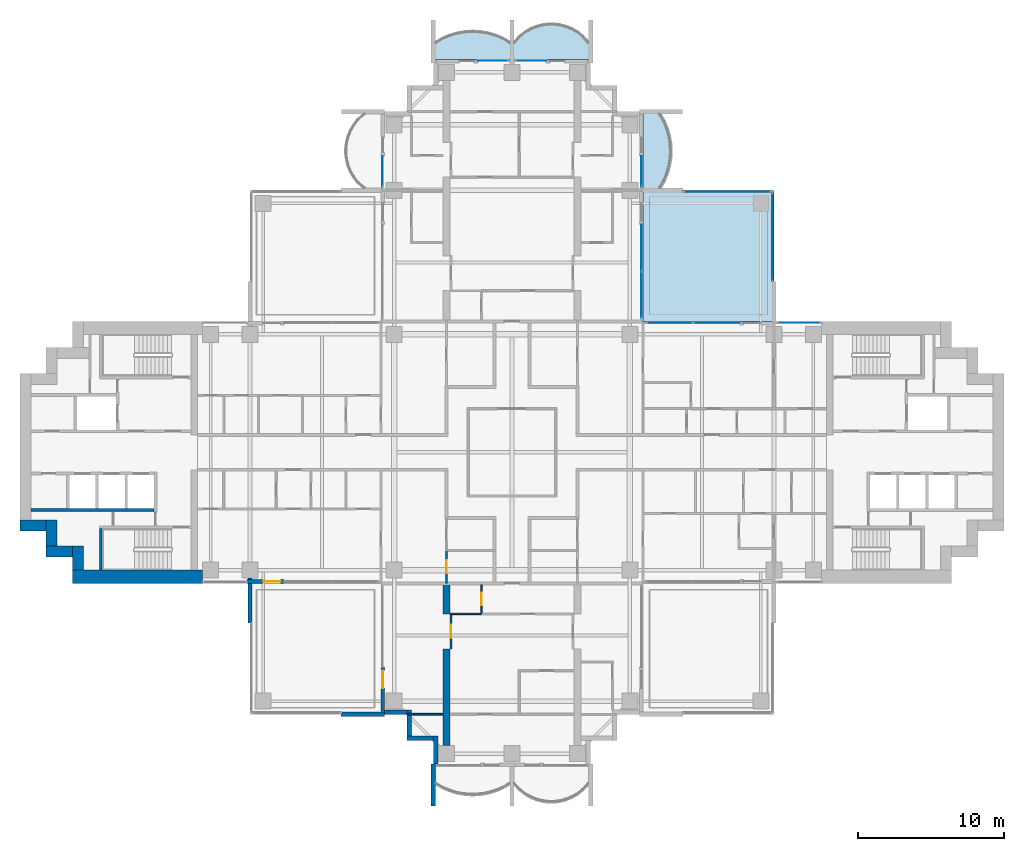
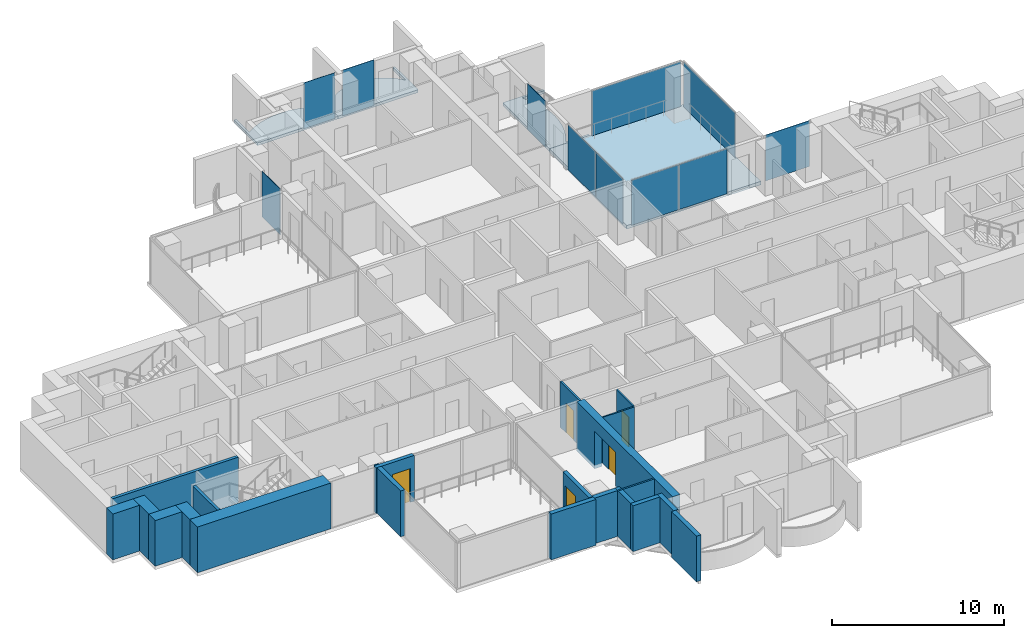
# One storey, part 8 of 19: 22 walls, 11 plates, 5 doors, 4 slabs, 5 openings, 9 elements without a shape of their own.
"""IFC4 building model written with IfcOpenShell, lengths in metres."""

from ifc_helpers import new_model, si_unit, direction, frame, frame_2d, origin, origin_2d, place, context, subcontext, project, spatial, polyline, rectangle, outline, extrude, material, layer, layer_set, material_profile, profile_set, type_object, element, fill, aggregate, save


model = new_model("IFC4")

# Units and contexts
model_context = context("Model", 3, precision=1e-05, world=origin(), true_north=direction((0.0, 1.0)))
body_context = subcontext(model_context, "Body", "Model", "MODEL_VIEW")
ifc_project = project(units=[si_unit("LENGTHUNIT", "METRE"), si_unit("AREAUNIT", "SQUARE_METRE"), si_unit("VOLUMEUNIT", "CUBIC_METRE"), si_unit("PLANEANGLEUNIT", "RADIAN"), si_unit("MASSUNIT", "GRAM", prefix="KILO")], contexts=[model_context])

# Site, building, storey
site_placement = place(None, origin())
site = spatial("IfcSite", under=ifc_project, at=site_placement, CompositionType="ELEMENT")
building_placement = place(site_placement, origin())
building = spatial("IfcBuilding", under=site, at=building_placement, Name="Perihelion Cross Residences", CompositionType="ELEMENT")
storey_placement = place(building_placement, frame((0.0, 0.0, 144.39990234375)))
storey = spatial("IfcBuildingStorey", under=building, at=storey_placement, Name="L35", CompositionType="ELEMENT", Elevation=144.39990234375)

# Slabs
ifc_material_1 = material(Name="Concrete C40/50", Category="concrete")
ifc_layer_1 = layer(ifc_material_1, 0.199951171875)
ifc_layer_set_1 = layer_set([ifc_layer_1], Name="Balcony slab 200")
slab_type_1 = type_object("IfcSlabType", Name="Balcony slab 200", PredefinedType="FLOOR", material=ifc_layer_set_1)
slab_1_placement = place(storey_placement, frame((0.0, 0.0, -0.199951171875)))
element("IfcSlab", 1, at=slab_1_placement, inside=storey, type_object=slab_type_1, Name="Slab BK1 L35 north side east bay 2 balcony", PredefinedType="FLOOR", context=body_context, shape_type="SweptSolid", body=[
    extrude(outline(polyline([(9.0, 18.0), (9.0, 23.39990234375), (11.699951171875, 23.39990234375), (11.699951171875, 23.25), (10.199951171875, 23.25), (10.4853515625, 22.739990234375), (10.694580078125, 22.22998046875), (10.838134765625, 21.719970703125), (10.92236328125, 21.2099609375), (10.949951171875, 20.699951171875), (10.92236328125, 20.18994140625), (10.838134765625, 19.679931640625), (10.694580078125, 19.169921875), (10.4853515625, 18.659912109375), (10.199951171875, 18.14990234375), (11.699951171875, 18.14990234375), (11.699951171875, 18.0), (9.0, 18.0)])), origin(), (0.0, 0.0, 1.0), 0.199951171875),
])
slab_2_placement = place(storey_placement, frame((0.0, 0.0, -0.199951171875)))
element("IfcSlab", 2, at=slab_2_placement, inside=storey, type_object=slab_type_1, Name="Slab BK1 L35 north tip north bay 1 balcony", PredefinedType="FLOOR", context=body_context, shape_type="SweptSolid", body=[
    extrude(outline(polyline([(5.39990234375, 27.0), (0.0, 27.0), (0.0, 29.699951171875), (0.14990234375, 29.699951171875), (0.14990234375, 28.199951171875), (0.542236328125, 28.622314453125), (0.9345703125, 28.924072265625), (1.326904296875, 29.143310546875), (1.71923828125, 29.29736328125), (2.111572265625, 29.39599609375), (2.50390625, 29.444091796875), (2.896240234375, 29.444091796875), (3.28857421875, 29.39599609375), (3.6806640625, 29.29736328125), (4.072998046875, 29.143310546875), (4.46533203125, 28.924072265625), (4.857666015625, 28.622314453125), (5.25, 28.199951171875), (5.25, 29.699951171875), (5.39990234375, 29.699951171875), (5.39990234375, 27.0)])), origin(), (0.0, 0.0, 1.0), 0.199951171875),
])
slab_3_placement = place(storey_placement, frame((0.0, 0.0, -0.199951171875)))
element("IfcSlab", 3, at=slab_3_placement, inside=storey, type_object=slab_type_1, Name="Slab BK1 L35 north tip north bay 2 balcony", PredefinedType="FLOOR", context=body_context, shape_type="SweptSolid", body=[
    extrude(outline(polyline([(0.0, 27.0), (-5.39990234375, 27.0), (-5.39990234375, 29.699951171875), (-5.25, 29.699951171875), (-5.25, 28.199951171875), (-4.739990234375, 28.4853515625), (-4.22998046875, 28.694580078125), (-3.719970703125, 28.838134765625), (-3.2099609375, 28.92236328125), (-2.699951171875, 28.949951171875), (-2.18994140625, 28.92236328125), (-1.679931640625, 28.838134765625), (-1.169921875, 28.694580078125), (-0.659912109375, 28.4853515625), (-0.14990234375, 28.199951171875), (-0.14990234375, 29.699951171875), (0.0, 29.699951171875), (0.0, 27.0)])), origin(), (0.0, 0.0, 1.0), 0.199951171875),
])

# Curtain wall, plate
ifc_material_2 = material(Name="Bronze anodised aluminium, tinted glazing", Category="aluminium")
curtain_wall_type_1 = type_object("IfcCurtainWallType", Name="CW1", PredefinedType="NOTDEFINED", material=ifc_material_2)
curtain_wall_1_placement = place(storey_placement, origin())
curtain_wall_1 = element("IfcCurtainWall", 4, at=curtain_wall_1_placement, inside=storey, type_object=curtain_wall_type_1, Name="Curtain wall CW1 L35 east side north bay 1", PredefinedType="NOTDEFINED")
ifc_material_3 = material(Name="Tinted laminated glass", Category="glass")
ifc_layer_2 = layer(ifc_material_3, 0.028076171875)
ifc_layer_set_2 = layer_set([ifc_layer_2], Name="CW1 panel")
plate_type_1 = type_object("IfcPlateType", Name="CW1 panel", PredefinedType="CURTAIN_PANEL", material=ifc_layer_set_2)
plate_1_placement = place(storey_placement, frame((19.72509765625, 8.89990234375, 0.0), z_axis=(0.0, 0.0, 1.0), x_axis=(-1.0, 0.0, 0.0)))
plate_1 = element("IfcPlate", 5, at=plate_1_placement, type_object=plate_type_1, Name="CW1 panel 1", PredefinedType="CURTAIN_PANEL", context=body_context, shape_type="SweptSolid", body=[
    extrude(rectangle(XDim=2.929931640625, YDim=0.028076171875, at=origin_2d()), origin(), (0.0, 0.0, 1.0), 3.25),
])
aggregate(curtain_wall_1, [plate_1])

# Curtain wall, plates
curtain_wall_2_placement = place(storey_placement, origin())
curtain_wall_2 = element("IfcCurtainWall", 6, at=curtain_wall_2_placement, inside=storey, type_object=curtain_wall_type_1, Name="Curtain wall CW1 L35 east side north bay 2", PredefinedType="NOTDEFINED")
plate_2_placement = place(storey_placement, frame((14.052490234375, 8.89990234375, 0.000244140625), z_axis=(0.0, 0.0, 1.0), x_axis=(-1.0, 0.0, 0.0)))
plate_2 = element("IfcPlate", 7, at=plate_2_placement, type_object=plate_type_1, Name="CW1 panel 1", PredefinedType="CURTAIN_PANEL", context=body_context, shape_type="SweptSolid", body=[
    extrude(rectangle(XDim=3.195068359375, YDim=0.028076171875, at=origin_2d()), origin(), (0.0, 0.0, 1.0), 3.18994140625),
])
plate_3_placement = place(storey_placement, frame((10.827392578125, 8.89990234375, 0.000244140625), z_axis=(0.0, 0.0, 1.0), x_axis=(-1.0, 0.0, 0.0)))
plate_3 = element("IfcPlate", 8, at=plate_3_placement, type_object=plate_type_1, Name="CW1 panel 2", PredefinedType="CURTAIN_PANEL", context=body_context, shape_type="SweptSolid", body=[
    extrude(rectangle(XDim=3.135009765625, YDim=0.028076171875, at=origin_2d()), origin(), (0.0, 0.0, 1.0), 3.18994140625),
])
aggregate(curtain_wall_2, [plate_2, plate_3])

curtain_wall_3_placement = place(storey_placement, origin())
curtain_wall_3 = element("IfcCurtainWall", 9, at=curtain_wall_3_placement, inside=storey, type_object=curtain_wall_type_1, Name="Curtain wall CW1 L35 north side east bay 1", PredefinedType="NOTDEFINED")
plate_4_placement = place(storey_placement, frame((8.89990234375, 10.827392578125, 0.000244140625), z_axis=(0.0, 0.0, 1.0), x_axis=(0.0, 1.0, 0.0)))
plate_4 = element("IfcPlate", 10, at=plate_4_placement, type_object=plate_type_1, Name="CW1 panel 1", PredefinedType="CURTAIN_PANEL", context=body_context, shape_type="SweptSolid", body=[
    extrude(rectangle(XDim=3.135009765625, YDim=0.028076171875, at=origin_2d()), origin(), (0.0, 0.0, 1.0), 3.18994140625),
])
plate_5_placement = place(storey_placement, frame((8.89990234375, 14.052490234375, 0.000244140625), z_axis=(0.0, 0.0, 1.0), x_axis=(0.0, 1.0, 0.0)))
plate_5 = element("IfcPlate", 11, at=plate_5_placement, type_object=plate_type_1, Name="CW1 panel 2", PredefinedType="CURTAIN_PANEL", context=body_context, shape_type="SweptSolid", body=[
    extrude(rectangle(XDim=3.195068359375, YDim=0.028076171875, at=origin_2d()), origin(), (0.0, 0.0, 1.0), 3.18994140625),
])
aggregate(curtain_wall_3, [plate_4, plate_5])

# Curtain wall, plate
curtain_wall_4_placement = place(storey_placement, origin())
curtain_wall_4 = element("IfcCurtainWall", 12, at=curtain_wall_4_placement, inside=storey, type_object=curtain_wall_type_1, Name="Curtain wall CW1 L35 north side east bay 2", PredefinedType="NOTDEFINED")
plate_6_placement = place(storey_placement, frame((8.89990234375, 19.304931640625, 0.0), z_axis=(0.0, 0.0, 1.0), x_axis=(0.0, 1.0, 0.0)))
plate_6 = element("IfcPlate", 13, at=plate_6_placement, type_object=plate_type_1, Name="CW1 panel 1", PredefinedType="CURTAIN_PANEL", context=body_context, shape_type="SweptSolid", body=[
    extrude(rectangle(XDim=2.090087890625, YDim=0.028076171875, at=origin_2d()), origin(), (0.0, 0.0, 1.0), 3.25),
])
aggregate(curtain_wall_4, [plate_6])

curtain_wall_5_placement = place(storey_placement, origin())
curtain_wall_5 = element("IfcCurtainWall", 14, at=curtain_wall_5_placement, inside=storey, type_object=curtain_wall_type_1, Name="Curtain wall CW1 L35 north tip north bay 1", PredefinedType="NOTDEFINED")
plate_7_placement = place(storey_placement, frame((1.304931640625, 26.89990234375, 0.0), z_axis=(0.0, 0.0, 1.0), x_axis=(-1.0, 0.0, 0.0)))
plate_7 = element("IfcPlate", 15, at=plate_7_placement, type_object=plate_type_1, Name="CW1 panel 1", PredefinedType="CURTAIN_PANEL", context=body_context, shape_type="SweptSolid", body=[
    extrude(rectangle(XDim=2.090087890625, YDim=0.028076171875, at=origin_2d()), origin(), (0.0, 0.0, 1.0), 3.25),
])
aggregate(curtain_wall_5, [plate_7])

curtain_wall_6_placement = place(storey_placement, origin())
curtain_wall_6 = element("IfcCurtainWall", 16, at=curtain_wall_6_placement, inside=storey, type_object=curtain_wall_type_1, Name="Curtain wall CW1 L35 north tip north bay 2", PredefinedType="NOTDEFINED")
plate_8_placement = place(storey_placement, frame((-1.304931640625, 26.89990234375, 0.0), z_axis=(0.0, 0.0, 1.0), x_axis=(-1.0, 0.0, 0.0)))
plate_8 = element("IfcPlate", 17, at=plate_8_placement, type_object=plate_type_1, Name="CW1 panel 1", PredefinedType="CURTAIN_PANEL", context=body_context, shape_type="SweptSolid", body=[
    extrude(rectangle(XDim=2.090087890625, YDim=0.028076171875, at=origin_2d()), origin(), (0.0, 0.0, 1.0), 3.25),
])
aggregate(curtain_wall_6, [plate_8])

curtain_wall_7_placement = place(storey_placement, origin())
curtain_wall_7 = element("IfcCurtainWall", 18, at=curtain_wall_7_placement, inside=storey, type_object=curtain_wall_type_1, Name="Curtain wall CW1 L35 north side west bay 1", PredefinedType="NOTDEFINED")
plate_9_placement = place(storey_placement, frame((-8.89990234375, 19.304931640625, 0.0), z_axis=(0.0, 0.0, 1.0), x_axis=(0.0, -1.0, 0.0)))
plate_9 = element("IfcPlate", 19, at=plate_9_placement, type_object=plate_type_1, Name="CW1 panel 1", PredefinedType="CURTAIN_PANEL", context=body_context, shape_type="SweptSolid", body=[
    extrude(rectangle(XDim=2.090087890625, YDim=0.028076171875, at=origin_2d()), origin(), (0.0, 0.0, 1.0), 3.25),
])
aggregate(curtain_wall_7, [plate_9])

ifc_material_4 = material(Name="Bronze anodised aluminium, tinted glazing", Category="aluminium")
curtain_wall_type_2 = type_object("IfcCurtainWallType", Name="CW4", PredefinedType="NOTDEFINED", material=ifc_material_4)
curtain_wall_8_placement = place(storey_placement, origin())
curtain_wall_8 = element("IfcCurtainWall", 20, at=curtain_wall_8_placement, inside=storey, type_object=curtain_wall_type_2, Name="Curtain wall CW4 L35 pocket north-east 1 1", PredefinedType="NOTDEFINED")
ifc_material_5 = material(Name="Tinted laminated glass", Category="glass")
ifc_layer_3 = layer(ifc_material_5, 0.030029296875)
ifc_layer_set_3 = layer_set([ifc_layer_3], Name="CW4 panel")
plate_type_2 = type_object("IfcPlateType", Name="CW4 panel", PredefinedType="CURTAIN_PANEL", material=ifc_layer_set_3)
plate_10_placement = place(storey_placement, frame((14.784912109375, 17.89990234375, 0.000244140625), z_axis=(0.0, 0.0, 1.0), x_axis=(1.0, 0.0, 0.0)))
plate_10 = element("IfcPlate", 21, at=plate_10_placement, type_object=plate_type_2, Name="CW4 panel 1", PredefinedType="CURTAIN_PANEL", context=body_context, shape_type="SweptSolid", body=[
    extrude(rectangle(XDim=5.969970703125, YDim=0.030029296875, at=origin_2d()), origin(), (0.0, 0.0, 1.0), 3.18994140625),
])
aggregate(curtain_wall_8, [plate_10])

curtain_wall_9_placement = place(storey_placement, origin())
curtain_wall_9 = element("IfcCurtainWall", 22, at=curtain_wall_9_placement, inside=storey, type_object=curtain_wall_type_2, Name="Curtain wall CW4 L35 pocket north-east 1 2", PredefinedType="NOTDEFINED")
plate_11_placement = place(storey_placement, frame((17.89990234375, 14.784912109375, 0.000244140625), z_axis=(0.0, 0.0, 1.0), x_axis=(0.0, -1.0, 0.0)))
plate_11 = element("IfcPlate", 23, at=plate_11_placement, type_object=plate_type_2, Name="CW4 panel 1", PredefinedType="CURTAIN_PANEL", context=body_context, shape_type="SweptSolid", body=[
    extrude(rectangle(XDim=5.969970703125, YDim=0.030029296875, at=origin_2d()), origin(), (0.0, 0.0, 1.0), 3.18994140625),
])
aggregate(curtain_wall_9, [plate_11])

# Slab
ifc_material_6 = material(Name="Concrete C40/50", Category="concrete")
ifc_layer_4 = layer(ifc_material_6, 0.25)
ifc_layer_set_4 = layer_set([ifc_layer_4], Name="Winter garden slab")
slab_type_2 = type_object("IfcSlabType", Name="Winter garden slab", PredefinedType="FLOOR", material=ifc_layer_set_4)
slab_4_placement = place(storey_placement, frame((0.0, 0.0, -0.25)))
element("IfcSlab", 24, at=slab_4_placement, inside=storey, type_object=slab_type_2, Name="Slab BK3 L35 pocket north-east", PredefinedType="FLOOR", context=body_context, shape_type="SweptSolid", body=[
    extrude(outline(polyline([(18.0, 9.0), (18.0, 18.0), (9.0, 18.0), (9.0, 9.0), (18.0, 9.0)])), origin(), (0.0, 0.0, 1.0), 0.25),
])

# Wall, opening, door
ifc_material_7 = material(Name="Concrete C30/37, bronze-clad", Category="concrete")
ifc_layer_5 = layer(ifc_material_7, 0.25)
ifc_layer_set_5 = layer_set([ifc_layer_5], Name="Bronze-clad pier wall 250")
wall_type_1 = type_object("IfcWallType", Name="Bronze-clad pier wall 250", PredefinedType="SOLIDWALL", material=ifc_layer_set_5)
wall_1_placement = place(storey_placement, frame((-18.199951171875, -8.875, 0.0), z_axis=(0.0, 0.0, 1.0), x_axis=(1.0, 0.0, 0.0)))
wall_1 = element("IfcWall", 25, at=wall_1_placement, inside=storey, type_object=wall_type_1, Name="Wall FW1 L35 west side south bay 2 pier", PredefinedType="SOLIDWALL", context=body_context, shape_type="SweptSolid", body=[
    extrude(rectangle(XDim=2.550048828125, YDim=0.25, at=frame_2d((1.27490234375, 0.0))), origin(), (0.0, 0.0, 1.0), 3.25),
])
opening_1_placement = place(wall_1_placement, frame((1.10009765625, 0.0, 0.0)))
opening_1 = element("IfcOpeningElement", 26, at=opening_1_placement, cuts=wall_1, Name="Opening L35.E09", PredefinedType="OPENING", context=body_context, shape_type="SweptSolid", body=[
    extrude(rectangle(XDim=1.199951171875, YDim=2.39990234375, at=frame_2d((0.60009765625, 1.199951171875))), frame((0.0, 0.135009765625, 0.0), z_axis=(0.0, -1.0, 0.0), x_axis=(1.0, 0.0, 0.0)), (0.0, 0.0, 1.0), 0.27001953125),
])
ifc_material_8 = material(Name="Bronze anodised aluminium, glazed", Category="aluminium")
door_type_1 = type_object("IfcDoorType", Name="Balcony door 1200 x 2400", OperationType="NOTDEFINED", PredefinedType="DOOR", material=ifc_material_8)
door_1_placement = place(opening_1_placement, origin())
door_1 = element("IfcDoor", 27, at=door_1_placement, inside=storey, type_object=door_type_1, Name="Door L35.E09 west side south bay 2", OperationType="SINGLE_SWING_RIGHT", OverallHeight=2.39990234375, OverallWidth=1.199951171875, PredefinedType="DOOR", context=body_context, shape_type="SweptSolid", body=[
    extrude(rectangle(XDim=1.199951171875, YDim=2.39990234375, at=frame_2d((0.60009765625, 1.199951171875))), frame((0.0, 0.02490234375, 0.0), z_axis=(0.0, -1.0, 0.0), x_axis=(1.0, 0.0, 0.0)), (0.0, 0.0, 1.0), 0.050048828125),
])
fill(opening_1, door_1)

wall_2_placement = place(storey_placement, frame((-8.875, -14.75, 0.0), z_axis=(0.0, 0.0, 1.0), x_axis=(0.0, -1.0, 0.0)))
wall_2 = element("IfcWall", 28, at=wall_2_placement, inside=storey, type_object=wall_type_1, Name="Wall FW1 L35 south side west bay 1 pier", PredefinedType="SOLIDWALL", context=body_context, shape_type="SweptSolid", body=[
    extrude(rectangle(XDim=3.050048828125, YDim=0.25, at=frame_2d((1.52490234375, 0.0))), origin(), (0.0, 0.0, 1.0), 3.25),
])
opening_2_placement = place(wall_2_placement, frame((0.25, 0.0, 0.0)))
opening_2 = element("IfcOpeningElement", 29, at=opening_2_placement, cuts=wall_2, Name="Opening L35.E10", PredefinedType="OPENING", context=body_context, shape_type="SweptSolid", body=[
    extrude(rectangle(XDim=1.199951171875, YDim=2.39990234375, at=frame_2d((0.60009765625, 1.199951171875))), frame((0.0, 0.135009765625, 0.0), z_axis=(0.0, -1.0, 0.0), x_axis=(1.0, 0.0, 0.0)), (0.0, 0.0, 1.0), 0.27001953125),
])
door_2_placement = place(opening_2_placement, origin())
door_2 = element("IfcDoor", 30, at=door_2_placement, inside=storey, type_object=door_type_1, Name="Door L35.E10 south side west bay 1", OperationType="SINGLE_SWING_LEFT", OverallHeight=2.39990234375, OverallWidth=1.199951171875, PredefinedType="DOOR", context=body_context, shape_type="SweptSolid", body=[
    extrude(rectangle(XDim=1.199951171875, YDim=2.39990234375, at=frame_2d((0.60009765625, 1.199951171875))), frame((0.0, 0.02490234375, 0.0), z_axis=(0.0, -1.0, 0.0), x_axis=(1.0, 0.0, 0.0)), (0.0, 0.0, 1.0), 0.050048828125),
])
fill(opening_2, door_2)

# Walls
ifc_material_9 = material(Name="Concrete C30/37, bronze-clad", Category="concrete")
ifc_layer_6 = layer(ifc_material_9, 0.300048828125)
ifc_layer_set_6 = layer_set([ifc_layer_6], Name="Bronze-clad serration wall 300")
wall_type_2 = type_object("IfcWallType", Name="Bronze-clad serration wall 300", PredefinedType="SOLIDWALL", material=ifc_layer_set_6)
wall_3_placement = place(storey_placement, frame((-8.75, -17.85009765625, 0.0), z_axis=(0.0, 0.0, 1.0), x_axis=(1.0, 0.0, 0.0)))
element("IfcWall", 31, at=wall_3_placement, inside=storey, type_object=wall_type_2, Name="Wall SR1 L35 south corner south-west 1", PredefinedType="SOLIDWALL", context=body_context, shape_type="SweptSolid", body=[
    extrude(rectangle(XDim=1.550048828125, YDim=0.300048828125, at=frame_2d((0.77490234375, 0.0))), origin(), (0.0, 0.0, 1.0), 3.25),
])
for number, where, z_axis, x_axis, name in (
    (32, (-7.050048828125, -17.699951171875, 0.0), (0.0, 0.0, 1.0), (0.0, -1.0, 0.0), "Wall SR1 L35 south corner south-west 2"),
    (33, (-7.199951171875, -19.64990234375, 0.0), (0.0, 0.0, 1.0), (1.0, 0.0, 0.0), "Wall SR1 L35 south corner south-west 3"),
):
    element("IfcWall", number, at=place(storey_placement, frame(where, z_axis=z_axis, x_axis=x_axis)), inside=storey, type_object=wall_type_2, Name=name, PredefinedType="SOLIDWALL", context=body_context, shape_type="SweptSolid", body=[
        extrude(rectangle(XDim=1.800048828125, YDim=0.300048828125, at=frame_2d((0.89990234375, 0.0))), origin(), (0.0, 0.0, 1.0), 3.25),
    ])
wall_4_placement = place(storey_placement, frame((-5.25, -19.5, 0.0), z_axis=(0.0, 0.0, 1.0), x_axis=(0.0, -1.0, 0.0)))
element("IfcWall", 34, at=wall_4_placement, inside=storey, type_object=wall_type_2, Name="Wall SR1 L35 south corner south-west 4", PredefinedType="SOLIDWALL", context=body_context, shape_type="SweptSolid", body=[
    extrude(rectangle(XDim=1.919921875, YDim=0.300048828125, at=frame_2d((0.9599609375, 0.0))), origin(), (0.0, 0.0, 1.0), 3.25),
])
ifc_material_10 = material(Name="Concrete C60/75", Category="concrete")
ifc_layer_7 = layer(ifc_material_10, 0.75)
ifc_layer_set_7 = layer_set([ifc_layer_7], Name="Core wall, outer 750")
wall_type_3 = type_object("IfcWallType", Name="Core wall, outer 750", PredefinedType="SHEAR", material=ifc_layer_set_7)
wall_5_placement = place(storey_placement, frame((-29.824951171875, -8.10009765625, 0.0), z_axis=(0.0, 0.0, 1.0), x_axis=(0.0, 1.0, 0.0)))
element("IfcWall", 35, at=wall_5_placement, inside=storey, type_object=wall_type_3, Name="West core core wall, outer", PredefinedType="SHEAR", context=body_context, shape_type="SweptSolid", body=[
    extrude(rectangle(XDim=1.650146484375, YDim=0.75, at=frame_2d((0.8251953125, 0.0))), origin(), (0.0, 0.0, 1.0), 3.25),
])
for number, where, z_axis, x_axis, name in (
    (36, (-32.0, -6.824951171875, 0.0), (0.0, 0.0, 1.0), (1.0, 0.0, 0.0), "West core core wall, outer"),
    (37, (-31.625, -6.449951171875, 0.0), (0.0, 0.0, 1.0), (0.0, 1.0, 0.0), "West core core wall, outer"),
    (38, (-33.800048828125, -5.02490234375, 0.0), (0.0, 0.0, 1.0), (1.0, 0.0, 0.0), "West core core wall, outer"),
):
    element("IfcWall", number, at=place(storey_placement, frame(where, z_axis=z_axis, x_axis=x_axis)), inside=storey, type_object=wall_type_3, Name=name, PredefinedType="SHEAR", context=body_context, shape_type="SweptSolid", body=[
        extrude(rectangle(XDim=1.800048828125, YDim=0.75, at=frame_2d((0.89990234375, 0.0))), origin(), (0.0, 0.0, 1.0), 3.25),
    ])
ifc_material_11 = material(Name="Concrete C60/75", Category="concrete")
ifc_layer_8 = layer(ifc_material_11, 0.89990234375)
ifc_layer_set_8 = layer_set([ifc_layer_8], Name="Core wall, outer 900")
wall_type_4 = type_object("IfcWallType", Name="Core wall, outer 900", PredefinedType="SHEAR", material=ifc_layer_set_8)
wall_6_placement = place(storey_placement, frame((-30.199951171875, -8.550048828125, 0.0), z_axis=(0.0, 0.0, 1.0), x_axis=(1.0, 0.0, 0.0)))
element("IfcWall", 39, at=wall_6_placement, inside=storey, type_object=wall_type_4, Name="West core core wall, outer", PredefinedType="SHEAR", context=body_context, shape_type="SweptSolid", body=[
    extrude(rectangle(XDim=8.949951171875, YDim=0.89990234375, at=frame_2d((4.47509765625, 0.0))), origin(), (0.0, 0.0, 1.0), 3.25),
])

# Wall, opening, door
ifc_material_12 = material(Name="Plasterboard partition")
ifc_layer_9 = layer(ifc_material_12, 0.1201171875)
ifc_layer_set_9 = layer_set([ifc_layer_9], Name="Infill panel 120")
wall_type_5 = type_object("IfcWallType", Name="Infill panel 120", PredefinedType="PARTITIONING", material=ifc_layer_set_9)
wall_7_placement = place(storey_placement, frame((-4.18994140625, -11.10009765625, 0.0), z_axis=(0.0, 0.0, 1.0), x_axis=(0.0, -1.0, 0.0)))
wall_7 = element("IfcWall", 40, at=wall_7_placement, inside=storey, type_object=wall_type_5, Name="Partition L35 WI06", PredefinedType="PARTITIONING", context=body_context, shape_type="SweptSolid", body=[
    extrude(rectangle(XDim=2.39990234375, YDim=0.1201171875, at=frame_2d((1.199951171875, 0.0))), origin(), (0.0, 0.0, 1.0), 2.400146484375),
])
opening_3_placement = place(wall_7_placement, frame((0.75, 0.0, 0.0)))
opening_3 = element("IfcOpeningElement", 41, at=opening_3_placement, cuts=wall_7, Name="Opening L35.A59", PredefinedType="OPENING", context=body_context, shape_type="SweptSolid", body=[
    extrude(rectangle(XDim=0.89990234375, YDim=2.10009765625, at=frame_2d((0.449951171875, 1.050048828125))), frame((0.0, 0.070068359375, 0.0), z_axis=(0.0, -1.0, 0.0), x_axis=(1.0, 0.0, 0.0)), (0.0, 0.0, 1.0), 0.14013671875),
])
ifc_material_13 = material(Name="Timber door leaf", Category="wood")
door_type_2 = type_object("IfcDoorType", Name="Interior room door 900 x 2100", OperationType="SINGLE_SWING_LEFT", PredefinedType="DOOR", material=ifc_material_13)
door_3_placement = place(opening_3_placement, origin())
door_3 = element("IfcDoor", 42, at=door_3_placement, inside=storey, type_object=door_type_2, Name="Door L35.A59", OperationType="SINGLE_SWING_LEFT", OverallHeight=2.10009765625, OverallWidth=0.89990234375, PredefinedType="DOOR", context=body_context, shape_type="SweptSolid", body=[
    extrude(rectangle(XDim=0.89990234375, YDim=2.10009765625, at=frame_2d((0.449951171875, 1.050048828125))), frame((0.0, 0.02490234375, 0.0), z_axis=(0.0, -1.0, 0.0), x_axis=(1.0, 0.0, 0.0)), (0.0, 0.0, 1.0), 0.050048828125),
])
fill(opening_3, door_3)

ifc_material_14 = material(Name="Plasterboard partition")
ifc_layer_10 = layer(ifc_material_14, 0.1201171875)
ifc_layer_set_10 = layer_set([ifc_layer_10], Name="Partition wall 120")
wall_type_6 = type_object("IfcWallType", Name="Partition wall 120", PredefinedType="PARTITIONING", material=ifc_layer_set_10)
wall_8_placement = place(storey_placement, frame((-4.5, -6.75, 0.0), z_axis=(0.0, 0.0, 1.0), x_axis=(0.0, -1.0, 0.0)))
wall_8 = element("IfcWall", 43, at=wall_8_placement, inside=storey, type_object=wall_type_6, Name="Partition L35 W065", PredefinedType="PARTITIONING", context=body_context, shape_type="SweptSolid", body=[
    extrude(rectangle(XDim=2.25, YDim=0.1201171875, at=frame_2d((1.125, 0.0))), origin(), (0.0, 0.0, 1.0), 3.25),
])
opening_4_placement = place(wall_8_placement, frame((0.675048828125, 0.0, 0.0)))
opening_4 = element("IfcOpeningElement", 44, at=opening_4_placement, cuts=wall_8, Name="Opening L35.A31", PredefinedType="OPENING", context=body_context, shape_type="SweptSolid", body=[
    extrude(rectangle(XDim=0.89990234375, YDim=2.10009765625, at=frame_2d((0.449951171875, 1.050048828125))), frame((0.0, 0.070068359375, 0.0), z_axis=(0.0, -1.0, 0.0), x_axis=(1.0, 0.0, 0.0)), (0.0, 0.0, 1.0), 0.14013671875),
])
door_4_placement = place(opening_4_placement, origin())
door_4 = element("IfcDoor", 45, at=door_4_placement, inside=storey, type_object=door_type_2, Name="Door L35.A31", OperationType="SINGLE_SWING_LEFT", OverallHeight=2.10009765625, OverallWidth=0.89990234375, PredefinedType="DOOR", context=body_context, shape_type="SweptSolid", body=[
    extrude(rectangle(XDim=0.89990234375, YDim=2.10009765625, at=frame_2d((0.449951171875, 1.050048828125))), frame((0.0, 0.02490234375, 0.0), z_axis=(0.0, -1.0, 0.0), x_axis=(1.0, 0.0, 0.0)), (0.0, 0.0, 1.0), 0.050048828125),
])
fill(opening_4, door_4)

# Walls
wall_9_placement = place(storey_placement, frame((-4.75, -18.0, 0.0), z_axis=(0.0, 0.0, 1.0), x_axis=(-1.0, 0.0, 0.0)))
element("IfcWall", 46, at=wall_9_placement, inside=storey, type_object=wall_type_6, Name="Partition L35 W096", PredefinedType="PARTITIONING", context=body_context, shape_type="SweptSolid", body=[
    extrude(rectangle(XDim=2.3701171875, YDim=0.1201171875, at=frame_2d((1.18505859375, 0.0))), origin(), (0.0, 0.0, 1.0), 3.25),
])
ifc_material_15 = material(Name="Precast concrete C50/60", Category="concrete")
ifc_layer_11 = layer(ifc_material_15, 0.300048828125)
ifc_layer_set_11 = layer_set([ifc_layer_11], Name="Precast concrete C50/60 blade wall 300")
wall_type_7 = type_object("IfcWallType", Name="Precast concrete C50/60 blade wall 300", PredefinedType="SOLIDWALL", material=ifc_layer_set_11)
wall_10_placement = place(storey_placement, frame((-18.0, -8.64990234375, 0.0), z_axis=(0.0, 0.0, 1.0), x_axis=(0.0, -1.0, 0.0)))
element("IfcWall", 47, at=wall_10_placement, inside=storey, type_object=wall_type_7, Name="Wall BL1 L35 no. 1", PredefinedType="SOLIDWALL", context=body_context, shape_type="SweptSolid", body=[
    extrude(rectangle(XDim=3.090087890625, YDim=0.300048828125, at=frame_2d((1.544921875, 0.0))), origin(), (0.0, 0.0, 1.0), 3.25),
])
wall_11_placement = place(storey_placement, frame((-8.75, -18.0, 0.0), z_axis=(0.0, 0.0, 1.0), x_axis=(-1.0, 0.0, 0.0)))
element("IfcWall", 48, at=wall_11_placement, inside=storey, type_object=wall_type_7, Name="Wall BL1 L35 no. 5", PredefinedType="SOLIDWALL", context=body_context, shape_type="SweptSolid", body=[
    extrude(rectangle(XDim=2.989990234375, YDim=0.300048828125, at=frame_2d((1.4951171875, 0.0))), origin(), (0.0, 0.0, 1.0), 3.25),
])
wall_12_placement = place(storey_placement, frame((-5.39990234375, -21.419921875, 0.0), z_axis=(0.0, 0.0, 1.0), x_axis=(0.0, -1.0, 0.0)))
element("IfcWall", 49, at=wall_12_placement, inside=storey, type_object=wall_type_7, Name="Wall BL1 L35 no. 3", PredefinedType="SOLIDWALL", context=body_context, shape_type="SweptSolid", body=[
    extrude(rectangle(XDim=2.880126953125, YDim=0.300048828125, at=frame_2d((1.43994140625, 0.0))), origin(), (0.0, 0.0, 1.0), 3.25),
])
ifc_material_16 = material(Name="Concrete C50/60", Category="concrete")
ifc_layer_12 = layer(ifc_material_16, 0.199951171875)
ifc_layer_set_12 = layer_set([ifc_layer_12], Name="Shaft wall 200")
wall_type_8 = type_object("IfcWallType", Name="Shaft wall 200", PredefinedType="SOLIDWALL", material=ifc_layer_set_12)
wall_13_placement = place(storey_placement, frame((-33.050048828125, -3.949951171875, 0.0), z_axis=(0.0, 0.0, 1.0), x_axis=(1.0, 0.0, 0.0)))
element("IfcWall", 50, at=wall_13_placement, inside=storey, type_object=wall_type_8, Name="West core shaft wall", PredefinedType="SOLIDWALL", context=body_context, shape_type="SweptSolid", body=[
    extrude(rectangle(XDim=8.449951171875, YDim=0.199951171875, at=frame_2d((4.22509765625, 0.0))), origin(), (0.0, 0.0, 1.0), 3.25),
])
ifc_material_17 = material(Name="Concrete C50/60", Category="concrete")
ifc_layer_13 = layer(ifc_material_17, 0.199951171875)
ifc_layer_set_13 = layer_set([ifc_layer_13], Name="Stair wall 200")
wall_type_9 = type_object("IfcWallType", Name="Stair wall 200", PredefinedType="SOLIDWALL", material=ifc_layer_set_13)
wall_14_placement = place(storey_placement, frame((-28.25, -8.10009765625, 0.0), z_axis=(0.0, 0.0, 1.0), x_axis=(0.0, 1.0, 0.0)))
element("IfcWall", 51, at=wall_14_placement, inside=storey, type_object=wall_type_9, Name="West core stair wall", PredefinedType="SOLIDWALL", context=body_context, shape_type="SweptSolid", body=[
    extrude(rectangle(XDim=2.85009765625, YDim=0.199951171875, at=frame_2d((1.425048828125, 0.0))), origin(), (0.0, 0.0, 1.0), 3.25),
])
ifc_material_18 = material(Name="Concrete C60/75", Category="concrete")
ifc_material_profile = material_profile(ifc_material_18, outline(polyline([(0.0, 0.0), (6.64990234375, 0.0), (6.64990234375, 2.64990234375), (9.050048828125, 2.64990234375), (9.050048828125, 0.0), (11.14990234375, 0.0), (11.14990234375, 3.5), (0.0, 3.5), (0.0, 0.0)])), Name="Tip spine wall")
ifc_profile_set = profile_set([ifc_material_profile], Name="Concrete C60/75")
wall_type_10 = type_object("IfcWallType", Name="Tip spine wall 500 with 1 door openings 11150 long 3500 high concrete C60/75", PredefinedType="SHEAR", material=ifc_profile_set)
wall_15_placement = place(storey_placement, frame((-4.75, -20.14990234375, -0.25), z_axis=(1.0, 0.0, 0.0), x_axis=(0.0, 1.0, 0.0)))
element("IfcWall", 52, at=wall_15_placement, inside=storey, type_object=wall_type_10, Name="Shear wall SW33 L35 south west", PredefinedType="SHEAR", context=body_context, shape_type="SweptSolid", body=[
    extrude(outline(polyline([(0.0, 0.0), (6.64990234375, 0.0), (6.64990234375, 2.64990234375), (9.050048828125, 2.64990234375), (9.050048828125, 0.0), (11.14990234375, 0.0), (11.14990234375, 3.5), (0.0, 3.5), (0.0, 0.0)])), origin(), (0.0, 0.0, 1.0), 0.5),
])

# Wall, opening, door
ifc_material_19 = material(Name="Plasterboard partition")
ifc_layer_14 = layer(ifc_material_19, 0.10009765625)
ifc_layer_set_14 = layer_set([ifc_layer_14], Name="Wet room wall 100")
wall_type_11 = type_object("IfcWallType", Name="Wet room wall 100", PredefinedType="PARTITIONING", material=ifc_layer_set_14)
wall_16_placement = place(storey_placement, frame((-2.10009765625, -11.0400390625, 0.0), z_axis=(0.0, 0.0, 1.0), x_axis=(0.0, 1.0, 0.0)))
wall_16 = element("IfcWall", 53, at=wall_16_placement, inside=storey, type_object=wall_type_11, Name="Partition L35 W087", PredefinedType="PARTITIONING", context=body_context, shape_type="SweptSolid", body=[
    extrude(rectangle(XDim=1.93994140625, YDim=0.10009765625, at=frame_2d((0.969970703125, 0.0))), origin(), (0.0, 0.0, 1.0), 3.25),
])
opening_5_placement = place(wall_16_placement, frame((0.544921875, 0.0, 0.0)))
opening_5 = element("IfcOpeningElement", 54, at=opening_5_placement, cuts=wall_16, Name="Opening L35.A45", PredefinedType="OPENING", context=body_context, shape_type="SweptSolid", body=[
    extrude(rectangle(XDim=0.85009765625, YDim=2.10009765625, at=frame_2d((0.425048828125, 1.050048828125))), frame((0.0, 0.06005859375, 0.0), z_axis=(0.0, -1.0, 0.0), x_axis=(1.0, 0.0, 0.0)), (0.0, 0.0, 1.0), 0.1201171875),
])
ifc_material_20 = material(Name="Timber door leaf", Category="wood")
door_type_3 = type_object("IfcDoorType", Name="Interior bathroom door 850 x 2100", OperationType="SINGLE_SWING_LEFT", PredefinedType="DOOR", material=ifc_material_20)
door_5_placement = place(opening_5_placement, origin())
door_5 = element("IfcDoor", 55, at=door_5_placement, inside=storey, type_object=door_type_3, Name="Door L35.A45", OperationType="SINGLE_SWING_LEFT", OverallHeight=2.10009765625, OverallWidth=0.85009765625, PredefinedType="DOOR", context=body_context, shape_type="SweptSolid", body=[
    extrude(rectangle(XDim=0.85009765625, YDim=2.10009765625, at=frame_2d((0.425048828125, 1.050048828125))), frame((0.0, 0.02490234375, 0.0), z_axis=(0.0, -1.0, 0.0), x_axis=(1.0, 0.0, 0.0)), (0.0, 0.0, 1.0), 0.050048828125),
])
fill(opening_5, door_5)

# Wall
wall_17_placement = place(storey_placement, frame((-2.10009765625, -11.10009765625, 0.0), z_axis=(0.0, 0.0, 1.0), x_axis=(-1.0, 0.0, 0.0)))
element("IfcWall", 56, at=wall_17_placement, inside=storey, type_object=wall_type_11, Name="Partition L35 W089", PredefinedType="PARTITIONING", context=body_context, shape_type="SweptSolid", body=[
    extrude(rectangle(XDim=2.14990234375, YDim=0.10009765625, at=frame_2d((1.074951171875, 0.0))), origin(), (0.0, 0.0, 1.0), 3.25),
])

save(model, "model.ifc")
